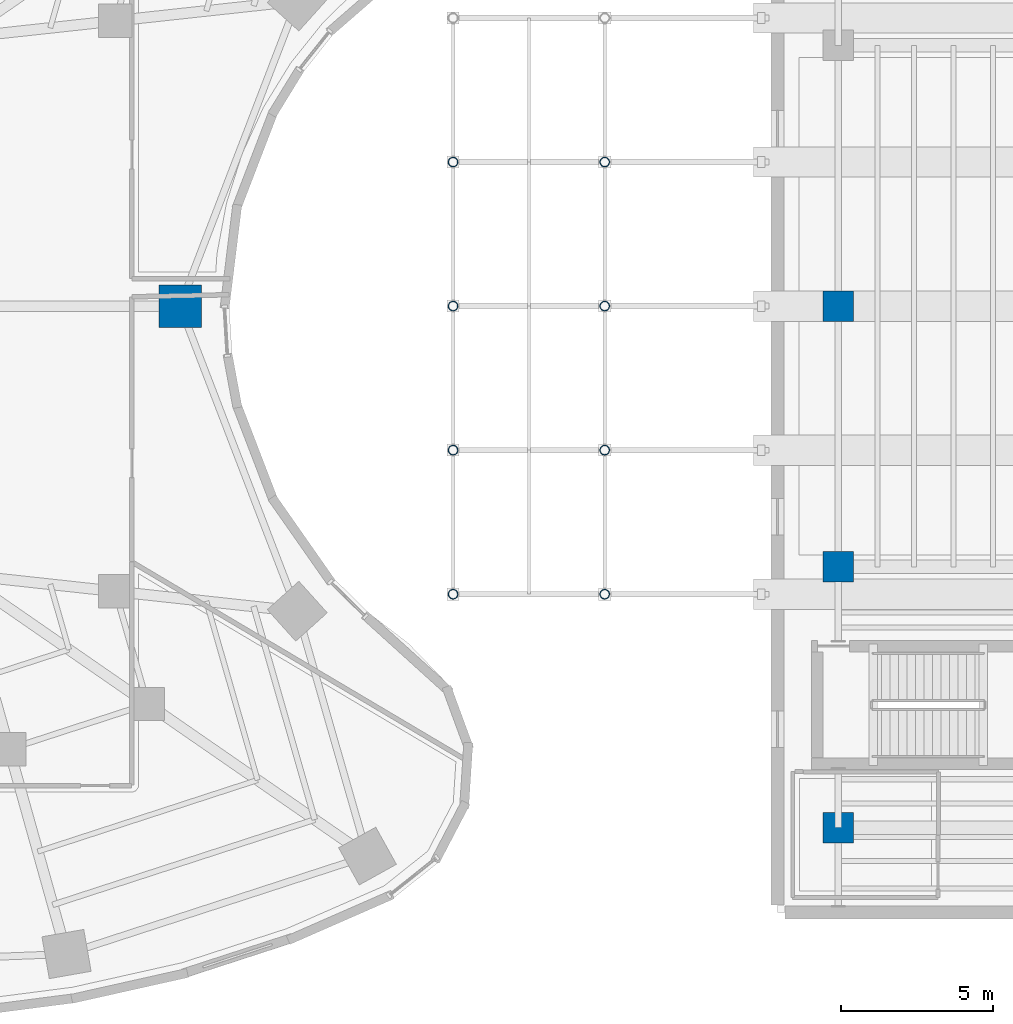
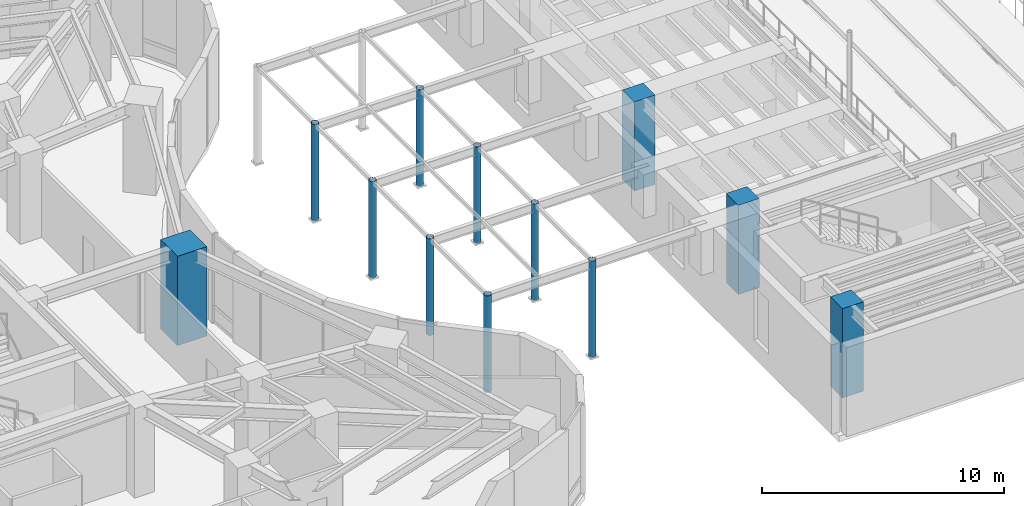
# One storey, part 2 of 24: 12 columns.
"""IFC4 building model written with IfcOpenShell, lengths in metres."""

import ifcopenshell
import ifcopenshell.guid

model = None  # the IFC model being written
_history = None  # IfcOwnerHistory: only IFC2X3 demands one
_inside = {}  # id of a spatial element -> (the spatial element, [elements in it])
_under = {}  # id of a project, library or spatial element -> (it, [spatial elements below it])
_declared = {}  # id of a project -> (the project, [libraries it declares])
_typed = {}  # id of a type object -> (the type object, [elements of that type])
_made_of = {}  # id of a material, layer set ... -> (it, [elements and type objects made of it])


def new_model(schema):
    """Start an empty IFC model of exactly this schema.

    Asked for "IFC4X3", IfcOpenShell would pick the latest addendum, in which some entities
    have other attributes; the version numbers below select the first issue.
    IFC2X3 requires an IfcOwnerHistory on every rooted entity: one is made here for all.
    """
    global model, _history
    if schema == "IFC4X3":
        model = ifcopenshell.file(schema_version=(4, 3, 0, 0))
    else:
        model = ifcopenshell.file(schema=schema)
    _inside.clear()
    _under.clear()
    _declared.clear()
    _typed.clear()
    _made_of.clear()
    _history = None
    if model.schema == "IFC2X3":
        org = make("IfcOrganization", Name="unknown")
        user = make(
            "IfcPersonAndOrganization",
            ThePerson=make("IfcPerson", FamilyName="unknown"),
            TheOrganization=org,
        )
        app = make(
            "IfcApplication",
            ApplicationDeveloper=org,
            Version="unknown",
            ApplicationFullName="unknown",
            ApplicationIdentifier="unknown",
        )
        _history = make(
            "IfcOwnerHistory",
            OwningUser=user,
            OwningApplication=app,
            ChangeAction="ADDED",
            CreationDate=0,
        )
    return model


def make(cls, **values):
    """One entity of the class cls with the attributes given. An attribute that is None is left unset."""
    return model.create_entity(
        cls, **{name: value for name, value in values.items() if value is not None}
    )


def rooted(cls, **values):
    """An entity with a GlobalId (a new one), such as an element, a storey or a relation."""
    return make(cls, GlobalId=ifcopenshell.guid.new(), OwnerHistory=_history, **values)


def si_unit(unit_type, name, prefix=None):
    """IfcSIUnit, for example si_unit("LENGTHUNIT", "METRE", prefix="MILLI")."""
    return make("IfcSIUnit", UnitType=unit_type, Prefix=prefix, Name=name)


def assignment(units):
    """IfcUnitAssignment: the units of a project."""
    return None if units is None else make("IfcUnitAssignment", Units=units)


def point(xyz):
    """IfcCartesianPoint."""
    return None if xyz is None else make("IfcCartesianPoint", Coordinates=xyz)


def direction(xyz):
    """IfcDirection."""
    return None if xyz is None else make("IfcDirection", DirectionRatios=xyz)


def frame(location, z_axis=None, x_axis=None):
    """IfcAxis2Placement3D, a coordinate frame: its origin and axes. An axis left out is left unset."""
    return make(
        "IfcAxis2Placement3D",
        Location=point(location),
        Axis=direction(z_axis),
        RefDirection=direction(x_axis),
    )


def frame_2d(location, x_axis=None):
    """IfcAxis2Placement2D, a coordinate frame in the plane: its origin and x axis."""
    return make(
        "IfcAxis2Placement2D", Location=point(location), RefDirection=direction(x_axis)
    )


def origin():
    """The frame at (0, 0, 0) with its axes left unset."""
    return frame((0.0, 0.0, 0.0))


def origin_2d():
    """The frame at (0, 0) in the plane with its x axis left unset."""
    return frame_2d((0.0, 0.0))


def place(relative_to, where):
    """IfcLocalPlacement: puts the frame where relative to a parent placement (None: the world)."""
    return make(
        "IfcLocalPlacement", PlacementRelTo=relative_to, RelativePlacement=where
    )


def context(
    kind, dimensions, precision=None, world=None, true_north=None, identifier=None
):
    """IfcGeometricRepresentationContext, for example the 3D "Model" context."""
    return make(
        "IfcGeometricRepresentationContext",
        ContextIdentifier=identifier,
        ContextType=kind,
        CoordinateSpaceDimension=dimensions,
        Precision=precision,
        WorldCoordinateSystem=world,
        TrueNorth=true_north,
    )


def subcontext(parent, identifier, kind, view, scale=None):
    """IfcGeometricRepresentationSubContext, for example "Body" below "Model"."""
    return make(
        "IfcGeometricRepresentationSubContext",
        ContextIdentifier=identifier,
        ContextType=kind,
        ParentContext=parent,
        TargetScale=scale,
        TargetView=view,
    )


def project(units=None, contexts=None):
    """IfcProject with its units and contexts."""
    return rooted(
        "IfcProject",
        Name="project",
        RepresentationContexts=contexts,
        UnitsInContext=assignment(units),
    )


def spatial(cls, under=None, at=None, **own):
    """A site, building, storey or space (cls), placed at a placement, below another one or the project."""
    s = rooted(cls, ObjectPlacement=at, **own)
    if under is not None:
        _under.setdefault(under.id(), (under, []))[1].append(s)
    return s


def profile(cls, at=None, kind="AREA", **sizes):
    """A parametric profile (cls). Its sizes go by their IFC names, for example OverallWidth=200.0."""
    return make(cls, ProfileType=kind, Position=at, **sizes)


def rectangle(**sizes):
    """IfcRectangleProfileDef."""
    return profile("IfcRectangleProfileDef", **sizes)


def hollow_circle(**sizes):
    """IfcCircleHollowProfileDef."""
    return profile("IfcCircleHollowProfileDef", **sizes)


def extrude(swept, where, along, depth):
    """IfcExtrudedAreaSolid: the profile swept, set in the frame where, extruded along a direction by depth."""
    return make(
        "IfcExtrudedAreaSolid",
        SweptArea=swept,
        Position=where,
        ExtrudedDirection=direction(along),
        Depth=depth,
    )


def shape(context_of_items, identifier, shape_type, items):
    """IfcShapeRepresentation: the items that make up one representation, for example the "Body"."""
    return make(
        "IfcShapeRepresentation",
        ContextOfItems=context_of_items,
        RepresentationIdentifier=identifier,
        RepresentationType=shape_type,
        Items=items,
    )


def material(Name=None, Category=None):
    """IfcMaterial."""
    return make("IfcMaterial", Name=Name, Category=Category)


def material_profile(
    of_material, cross_section, Name=None, Category=None, Priority=None
):
    """IfcMaterialProfile: a cross section and its material."""
    return make(
        "IfcMaterialProfile",
        Name=Name,
        Material=of_material,
        Profile=cross_section,
        Priority=Priority,
        Category=Category,
    )


def profile_set(profiles, Name=None, composite=None):
    """IfcMaterialProfileSet."""
    return make(
        "IfcMaterialProfileSet",
        Name=Name,
        MaterialProfiles=profiles,
        CompositeProfile=composite,
    )


def made_of(thing, what):
    """Note that an element or type object is made of a material, layer set ...; save() writes the relation."""
    if what is not None:
        _made_of.setdefault(what.id(), (what, []))[1].append(thing)
    return thing


def type_object(cls, material=None, **own):
    """A type object (cls), such as IfcWallType, which elements share."""
    return made_of(rooted(cls, **own), material)


def element(
    cls,
    number,
    at=None,
    inside=None,
    cuts=None,
    type_object=None,
    material=None,
    context=None,
    identifier="Body",
    shape_type=None,
    held_by="IfcProductDefinitionShape",
    body=None,
    shapes=None,
    **own,
):
    """One element of the class cls, such as IfcWall. Its Tag is "e" and its number.

    at: its placement. inside: the storey or other place that contains it. cuts: it is an
    opening in that element (IfcRelVoidsElement). A single representation is given by context,
    identifier, shape_type and body (its items); several are given by shapes. held_by: the class
    of the entity that holds the representations. save() writes the other relations.
    """
    e = rooted(cls, Tag="e%d" % number, ObjectPlacement=at, **own)
    if body is not None:
        shapes = [shape(context, identifier, shape_type, body)]
    if shapes is not None:
        e.Representation = make(held_by, Representations=shapes)
    if inside is not None:
        _inside.setdefault(inside.id(), (inside, []))[1].append(e)
    if cuts is not None:
        rooted(
            "IfcRelVoidsElement", RelatingBuildingElement=cuts, RelatedOpeningElement=e
        )
    if type_object is not None:
        _typed.setdefault(type_object.id(), (type_object, []))[1].append(e)
    return made_of(e, material)


def aggregate(whole, parts):
    """IfcRelAggregates: a whole, such as a stair, and the parts it consists of."""
    return rooted("IfcRelAggregates", RelatingObject=whole, RelatedObjects=parts)


def save(model, path):
    """Write the relations noted so far, then the file.

    IfcRelAggregates (storeys below a building ...), IfcRelContainedInSpatialStructure (elements
    in a storey), IfcRelDefinesByType, IfcRelAssociatesMaterial and IfcRelDeclares: one each for
    every whole, place, type object, material and project.
    """
    for whole, parts in _under.values():
        aggregate(whole, parts)
    for where, things in _inside.values():
        rooted(
            "IfcRelContainedInSpatialStructure",
            RelatedElements=things,
            RelatingStructure=where,
        )
    for kind, things in _typed.values():
        rooted("IfcRelDefinesByType", RelatedObjects=things, RelatingType=kind)
    for what, things in _made_of.values():
        rooted("IfcRelAssociatesMaterial", RelatedObjects=things, RelatingMaterial=what)
    for by, libraries in _declared.values():
        rooted("IfcRelDeclares", RelatingContext=by, RelatedDefinitions=libraries)
    model.write(path)


model = new_model("IFC4")

# Units and contexts
model_context = context("Model", 3, precision=1e-05, world=origin(), true_north=direction((0.0, 1.0)))
body_context = subcontext(model_context, "Body", "Model", "MODEL_VIEW")
ifc_project = project(units=[si_unit("LENGTHUNIT", "METRE"), si_unit("AREAUNIT", "SQUARE_METRE"), si_unit("VOLUMEUNIT", "CUBIC_METRE"), si_unit("PLANEANGLEUNIT", "RADIAN"), si_unit("MASSUNIT", "GRAM", prefix="KILO")], contexts=[model_context])

# Site, building, storey
site_placement = place(None, origin())
site = spatial("IfcSite", under=ifc_project, at=site_placement, CompositionType="ELEMENT")
building_placement = place(site_placement, origin())
building = spatial("IfcBuilding", under=site, at=building_placement, Name="Korentha Bioscience Tower", CompositionType="ELEMENT")
storey_placement = place(building_placement, frame((0.0, 0.0, 5.39990234375)))
storey = spatial("IfcBuildingStorey", under=building, at=storey_placement, Name="L01", CompositionType="ELEMENT", Elevation=5.39990234375)

# Columns
ifc_material_1 = material(Name="Steel S355", Category="steel")
ifc_material_profile_1 = material_profile(ifc_material_1, hollow_circle(Radius=0.161865234375, WallThickness=0.01611328125, at=origin_2d()), Name="Steel S355")
ifc_profile_set_1 = profile_set([ifc_material_profile_1], Name="Steel S355 (AC-01)")
column_type_1 = type_object("IfcColumnType", Name="Arcade Portal Column CHS 323.9x16", PredefinedType="COLUMN", material=ifc_profile_set_1)
for number, where, z_axis, x_axis, name in (
    (1, (58.800048828125, 17.5, -0.31982421875), (0.0, 0.0, 1.0), (1.0, 0.0, 0.0), "L01 Covered Arcade Column AC-01"),
    (2, (53.800048828125, 17.5, -0.31982421875), (0.0, 0.0, 1.0), (1.0, 0.0, 0.0), "L01 Arcade West Column ACW-01"),
    (3, (58.800048828125, 22.25, -0.31982421875), (0.0, 0.0, 1.0), (1.0, 0.0, 0.0), "L01 Covered Arcade Column AC-02"),
    (4, (53.800048828125, 22.25, -0.31982421875), (0.0, 0.0, 1.0), (1.0, 0.0, 0.0), "L01 Arcade West Column ACW-02"),
    (5, (58.800048828125, 27.0, -0.31982421875), (0.0, 0.0, 1.0), (1.0, 0.0, 0.0), "L01 Covered Arcade Column AC-03"),
    (6, (53.800048828125, 27.0, -0.31982421875), (0.0, 0.0, 1.0), (1.0, 0.0, 0.0), "L01 Arcade West Column ACW-03"),
    (7, (58.800048828125, 31.75, -0.31982421875), (0.0, 0.0, 1.0), (1.0, 0.0, 0.0), "L01 Covered Arcade Column AC-04"),
    (8, (53.800048828125, 31.75, -0.31982421875), (0.0, 0.0, 1.0), (1.0, 0.0, 0.0), "L01 Arcade West Column ACW-04"),
):
    element("IfcColumn", number, at=place(storey_placement, frame(where, z_axis=z_axis, x_axis=x_axis)), inside=storey, type_object=column_type_1, Name=name, PredefinedType="COLUMN", context=body_context, shape_type="SweptSolid", body=[
        extrude(hollow_circle(Radius=0.161865234375, WallThickness=0.01611328125, at=origin_2d()), origin(), (0.0, 0.0, 1.0), 4.88037109375),
    ])
ifc_material_2 = material(Name="Concrete C80", Category="concrete")
ifc_material_profile_2 = material_profile(ifc_material_2, rectangle(XDim=1.39990234375, YDim=1.39990234375, at=origin_2d()), Name="Concrete C80")
ifc_profile_set_2 = profile_set([ifc_material_profile_2], Name="Concrete C80 (COL-P14)")
column_type_2 = type_object("IfcColumnType", Name="Perimeter Column RC 1400x1400", PredefinedType="COLUMN", material=ifc_profile_set_2)
column_placement = place(storey_placement, frame((44.798583984375, 27.0, -0.00048828125), z_axis=(0.0, 0.0, 1.0), x_axis=(0.0, 1.0, 0.0)))
element("IfcColumn", 9, at=column_placement, inside=storey, type_object=column_type_2, Name="L01 Perimeter Column 15", PredefinedType="COLUMN", context=body_context, shape_type="SweptSolid", body=[
    extrude(rectangle(XDim=1.39990234375, YDim=1.39990234375, at=origin_2d()), origin(), (0.0, 0.0, 1.0), 4.5009765625),
])
ifc_material_3 = material(Name="Concrete C50", Category="concrete")
ifc_material_profile_3 = material_profile(ifc_material_3, rectangle(XDim=1.0, YDim=1.0, at=origin_2d()), Name="Concrete C50")
ifc_profile_set_3 = profile_set([ifc_material_profile_3], Name="Concrete C50 (TC-01)")
column_type_3 = type_object("IfcColumnType", Name="Theatre Primary Column RC 1000x1000", PredefinedType="COLUMN", material=ifc_profile_set_3)
for number, where, z_axis, x_axis, name in (
    (10, (66.5, 9.800048828125, 0.0), (0.0, 0.0, 1.0), (1.0, 0.0, 0.0), "L01 Theatre Column 1-1"),
    (11, (66.5, 18.39990234375, 0.0), (0.0, 0.0, 1.0), (1.0, 0.0, 0.0), "L01 Theatre Column 1-2"),
    (12, (66.5, 27.0, 0.0), (0.0, 0.0, 1.0), (1.0, 0.0, 0.0), "L01 Theatre Column 1-3"),
):
    element("IfcColumn", number, at=place(storey_placement, frame(where, z_axis=z_axis, x_axis=x_axis)), inside=storey, type_object=column_type_3, Name=name, PredefinedType="COLUMN", context=body_context, shape_type="SweptSolid", body=[
        extrude(rectangle(XDim=1.0, YDim=1.0, at=origin_2d()), origin(), (0.0, 0.0, 1.0), 4.5),
    ])

save(model, "model.ifc")
